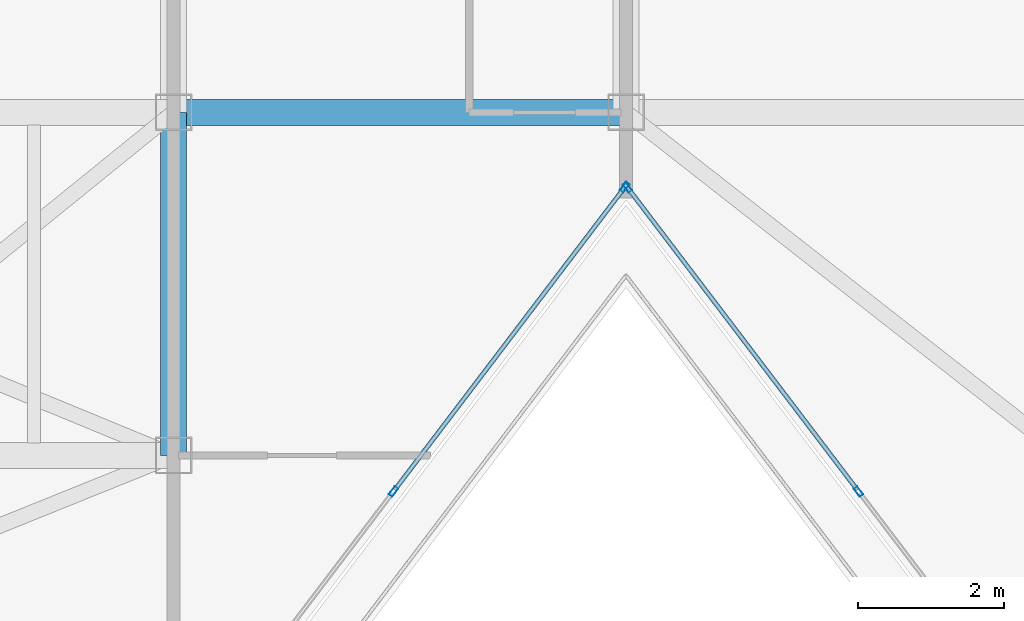
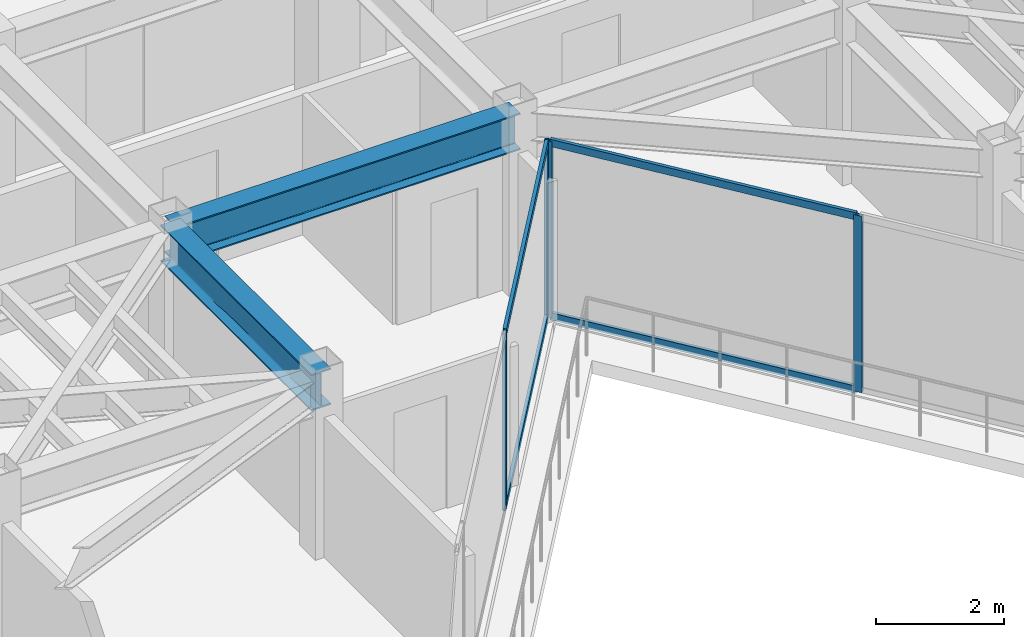
# One storey, part 7 of 20: 8 members, 2 beams, 2 elements without a shape of their own.
"""IFC4 building model written with IfcOpenShell, lengths in metres."""

import ifcopenshell
import ifcopenshell.guid

model = None  # the IFC model being written
_history = None  # IfcOwnerHistory: only IFC2X3 demands one
_inside = {}  # id of a spatial element -> (the spatial element, [elements in it])
_under = {}  # id of a project, library or spatial element -> (it, [spatial elements below it])
_declared = {}  # id of a project -> (the project, [libraries it declares])
_typed = {}  # id of a type object -> (the type object, [elements of that type])
_made_of = {}  # id of a material, layer set ... -> (it, [elements and type objects made of it])


def new_model(schema):
    """Start an empty IFC model of exactly this schema.

    Asked for "IFC4X3", IfcOpenShell would pick the latest addendum, in which some entities
    have other attributes; the version numbers below select the first issue.
    IFC2X3 requires an IfcOwnerHistory on every rooted entity: one is made here for all.
    """
    global model, _history
    if schema == "IFC4X3":
        model = ifcopenshell.file(schema_version=(4, 3, 0, 0))
    else:
        model = ifcopenshell.file(schema=schema)
    _inside.clear()
    _under.clear()
    _declared.clear()
    _typed.clear()
    _made_of.clear()
    _history = None
    if model.schema == "IFC2X3":
        org = make("IfcOrganization", Name="unknown")
        user = make(
            "IfcPersonAndOrganization",
            ThePerson=make("IfcPerson", FamilyName="unknown"),
            TheOrganization=org,
        )
        app = make(
            "IfcApplication",
            ApplicationDeveloper=org,
            Version="unknown",
            ApplicationFullName="unknown",
            ApplicationIdentifier="unknown",
        )
        _history = make(
            "IfcOwnerHistory",
            OwningUser=user,
            OwningApplication=app,
            ChangeAction="ADDED",
            CreationDate=0,
        )
    return model


def make(cls, **values):
    """One entity of the class cls with the attributes given. An attribute that is None is left unset."""
    return model.create_entity(
        cls, **{name: value for name, value in values.items() if value is not None}
    )


def rooted(cls, **values):
    """An entity with a GlobalId (a new one), such as an element, a storey or a relation."""
    return make(cls, GlobalId=ifcopenshell.guid.new(), OwnerHistory=_history, **values)


def si_unit(unit_type, name, prefix=None):
    """IfcSIUnit, for example si_unit("LENGTHUNIT", "METRE", prefix="MILLI")."""
    return make("IfcSIUnit", UnitType=unit_type, Prefix=prefix, Name=name)


def assignment(units):
    """IfcUnitAssignment: the units of a project."""
    return None if units is None else make("IfcUnitAssignment", Units=units)


def point(xyz):
    """IfcCartesianPoint."""
    return None if xyz is None else make("IfcCartesianPoint", Coordinates=xyz)


def direction(xyz):
    """IfcDirection."""
    return None if xyz is None else make("IfcDirection", DirectionRatios=xyz)


def frame(location, z_axis=None, x_axis=None):
    """IfcAxis2Placement3D, a coordinate frame: its origin and axes. An axis left out is left unset."""
    return make(
        "IfcAxis2Placement3D",
        Location=point(location),
        Axis=direction(z_axis),
        RefDirection=direction(x_axis),
    )


def frame_2d(location, x_axis=None):
    """IfcAxis2Placement2D, a coordinate frame in the plane: its origin and x axis."""
    return make(
        "IfcAxis2Placement2D", Location=point(location), RefDirection=direction(x_axis)
    )


def origin():
    """The frame at (0, 0, 0) with its axes left unset."""
    return frame((0.0, 0.0, 0.0))


def origin_2d():
    """The frame at (0, 0) in the plane with its x axis left unset."""
    return frame_2d((0.0, 0.0))


def place(relative_to, where):
    """IfcLocalPlacement: puts the frame where relative to a parent placement (None: the world)."""
    return make(
        "IfcLocalPlacement", PlacementRelTo=relative_to, RelativePlacement=where
    )


def context(
    kind, dimensions, precision=None, world=None, true_north=None, identifier=None
):
    """IfcGeometricRepresentationContext, for example the 3D "Model" context."""
    return make(
        "IfcGeometricRepresentationContext",
        ContextIdentifier=identifier,
        ContextType=kind,
        CoordinateSpaceDimension=dimensions,
        Precision=precision,
        WorldCoordinateSystem=world,
        TrueNorth=true_north,
    )


def subcontext(parent, identifier, kind, view, scale=None):
    """IfcGeometricRepresentationSubContext, for example "Body" below "Model"."""
    return make(
        "IfcGeometricRepresentationSubContext",
        ContextIdentifier=identifier,
        ContextType=kind,
        ParentContext=parent,
        TargetScale=scale,
        TargetView=view,
    )


def project(units=None, contexts=None):
    """IfcProject with its units and contexts."""
    return rooted(
        "IfcProject",
        Name="project",
        RepresentationContexts=contexts,
        UnitsInContext=assignment(units),
    )


def spatial(cls, under=None, at=None, **own):
    """A site, building, storey or space (cls), placed at a placement, below another one or the project."""
    s = rooted(cls, ObjectPlacement=at, **own)
    if under is not None:
        _under.setdefault(under.id(), (under, []))[1].append(s)
    return s


def profile(cls, at=None, kind="AREA", **sizes):
    """A parametric profile (cls). Its sizes go by their IFC names, for example OverallWidth=200.0."""
    return make(cls, ProfileType=kind, Position=at, **sizes)


def hollow_rectangle(**sizes):
    """IfcRectangleHollowProfileDef."""
    return profile("IfcRectangleHollowProfileDef", **sizes)


def i_section(**sizes):
    """IfcIShapeProfileDef."""
    return profile("IfcIShapeProfileDef", **sizes)


def extrude(swept, where, along, depth):
    """IfcExtrudedAreaSolid: the profile swept, set in the frame where, extruded along a direction by depth."""
    return make(
        "IfcExtrudedAreaSolid",
        SweptArea=swept,
        Position=where,
        ExtrudedDirection=direction(along),
        Depth=depth,
    )


def shape(context_of_items, identifier, shape_type, items):
    """IfcShapeRepresentation: the items that make up one representation, for example the "Body"."""
    return make(
        "IfcShapeRepresentation",
        ContextOfItems=context_of_items,
        RepresentationIdentifier=identifier,
        RepresentationType=shape_type,
        Items=items,
    )


def material(Name=None, Category=None):
    """IfcMaterial."""
    return make("IfcMaterial", Name=Name, Category=Category)


def layer(
    of_material, thickness, ventilated=None, Name=None, Category=None, Priority=None
):
    """IfcMaterialLayer: one layer of a wall or slab, of a material (None: an air gap)."""
    return make(
        "IfcMaterialLayer",
        Material=of_material,
        LayerThickness=thickness,
        IsVentilated=ventilated,
        Name=Name,
        Category=Category,
        Priority=Priority,
    )


def layer_set(layers, Name=None):
    """IfcMaterialLayerSet."""
    return make("IfcMaterialLayerSet", MaterialLayers=layers, LayerSetName=Name)


def material_profile(
    of_material, cross_section, Name=None, Category=None, Priority=None
):
    """IfcMaterialProfile: a cross section and its material."""
    return make(
        "IfcMaterialProfile",
        Name=Name,
        Material=of_material,
        Profile=cross_section,
        Priority=Priority,
        Category=Category,
    )


def profile_set(profiles, Name=None, composite=None):
    """IfcMaterialProfileSet."""
    return make(
        "IfcMaterialProfileSet",
        Name=Name,
        MaterialProfiles=profiles,
        CompositeProfile=composite,
    )


def made_of(thing, what):
    """Note that an element or type object is made of a material, layer set ...; save() writes the relation."""
    if what is not None:
        _made_of.setdefault(what.id(), (what, []))[1].append(thing)
    return thing


def type_object(cls, material=None, **own):
    """A type object (cls), such as IfcWallType, which elements share."""
    return made_of(rooted(cls, **own), material)


def element(
    cls,
    number,
    at=None,
    inside=None,
    cuts=None,
    type_object=None,
    material=None,
    context=None,
    identifier="Body",
    shape_type=None,
    held_by="IfcProductDefinitionShape",
    body=None,
    shapes=None,
    **own,
):
    """One element of the class cls, such as IfcWall. Its Tag is "e" and its number.

    at: its placement. inside: the storey or other place that contains it. cuts: it is an
    opening in that element (IfcRelVoidsElement). A single representation is given by context,
    identifier, shape_type and body (its items); several are given by shapes. held_by: the class
    of the entity that holds the representations. save() writes the other relations.
    """
    e = rooted(cls, Tag="e%d" % number, ObjectPlacement=at, **own)
    if body is not None:
        shapes = [shape(context, identifier, shape_type, body)]
    if shapes is not None:
        e.Representation = make(held_by, Representations=shapes)
    if inside is not None:
        _inside.setdefault(inside.id(), (inside, []))[1].append(e)
    if cuts is not None:
        rooted(
            "IfcRelVoidsElement", RelatingBuildingElement=cuts, RelatedOpeningElement=e
        )
    if type_object is not None:
        _typed.setdefault(type_object.id(), (type_object, []))[1].append(e)
    return made_of(e, material)


def aggregate(whole, parts):
    """IfcRelAggregates: a whole, such as a stair, and the parts it consists of."""
    return rooted("IfcRelAggregates", RelatingObject=whole, RelatedObjects=parts)


def save(model, path):
    """Write the relations noted so far, then the file.

    IfcRelAggregates (storeys below a building ...), IfcRelContainedInSpatialStructure (elements
    in a storey), IfcRelDefinesByType, IfcRelAssociatesMaterial and IfcRelDeclares: one each for
    every whole, place, type object, material and project.
    """
    for whole, parts in _under.values():
        aggregate(whole, parts)
    for where, things in _inside.values():
        rooted(
            "IfcRelContainedInSpatialStructure",
            RelatedElements=things,
            RelatingStructure=where,
        )
    for kind, things in _typed.values():
        rooted("IfcRelDefinesByType", RelatedObjects=things, RelatingType=kind)
    for what, things in _made_of.values():
        rooted("IfcRelAssociatesMaterial", RelatedObjects=things, RelatingMaterial=what)
    for by, libraries in _declared.values():
        rooted("IfcRelDeclares", RelatingContext=by, RelatedDefinitions=libraries)
    model.write(path)


model = new_model("IFC4")

# Units and contexts
model_context = context("Model", 3, precision=1e-05, world=origin(), true_north=direction((0.0, 1.0)))
body_context = subcontext(model_context, "Body", "Model", "MODEL_VIEW")
ifc_project = project(units=[si_unit("LENGTHUNIT", "METRE"), si_unit("AREAUNIT", "SQUARE_METRE"), si_unit("VOLUMEUNIT", "CUBIC_METRE"), si_unit("PLANEANGLEUNIT", "RADIAN"), si_unit("MASSUNIT", "GRAM", prefix="KILO")], contexts=[model_context])

# Site, building, storey
site_placement = place(None, origin())
site = spatial("IfcSite", under=ifc_project, at=site_placement, CompositionType="ELEMENT")
building_placement = place(site_placement, origin())
building = spatial("IfcBuilding", under=site, at=building_placement, Name="Kravanh Interchange Tower", CompositionType="ELEMENT")
storey_placement = place(building_placement, frame((0.0, 0.0, 245.39990234375)))
storey = spatial("IfcBuildingStorey", under=building, at=storey_placement, Name="L59", CompositionType="ELEMENT", Elevation=245.39990234375)

# Curtain wall, members
ifc_material_1 = material(Name="Anodised Bronze Aluminium", Category="aluminium")
ifc_layer = layer(ifc_material_1, 0.179931640625)
ifc_layer_set = layer_set([ifc_layer], Name="Unitised Curtain Wall System CW-HTL Luxury Hotel")
curtain_wall_type = type_object("IfcCurtainWallType", Name="Unitised Curtain Wall System CW-HTL Luxury Hotel", PredefinedType="NOTDEFINED", material=ifc_layer_set)
curtain_wall_1_placement = place(storey_placement, origin())
curtain_wall_1 = element("IfcCurtainWall", 1, at=curtain_wall_1_placement, inside=storey, type_object=curtain_wall_type, Name="L59 Unitised Curtain Wall CW-L59-04", PredefinedType="NOTDEFINED")
ifc_material_2 = material(Name="Anodised Bronze Aluminium", Category="aluminium")
ifc_material_profile_1 = material_profile(ifc_material_2, hollow_rectangle(XDim=0.06005859375, YDim=0.139892578125, WallThickness=0.00390625, at=origin_2d()), Name="ALU60X140X4")
ifc_profile_set_1 = profile_set([ifc_material_profile_1], Name="Anodised Bronze Aluminium")
member_type_1 = type_object("IfcMemberType", Name="Curtain Wall Mullion ALU60X140X4 Bronze", PredefinedType="MULLION", material=ifc_profile_set_1)
member_1_placement = place(storey_placement, frame((47.986572265625, 26.305419921875, 0.0), z_axis=(0.0, 0.0, 1.0), x_axis=(-0.79616243806, -0.605082946564, 0.0)))
member_1 = element("IfcMember", 2, at=member_1_placement, type_object=member_type_1, Name="CW-HTL mullion 3", PredefinedType="MULLION", context=body_context, shape_type="SweptSolid", body=[
    extrude(hollow_rectangle(XDim=0.06005859375, YDim=0.139892578125, WallThickness=0.00390625, at=origin_2d()), origin(), (0.0, 0.0, 1.0), 3.360107421875),
])
member_2_placement = place(storey_placement, frame((44.818115234375, 30.474365234375, 0.0), z_axis=(0.0, 0.0, 1.0), x_axis=(-0.79616243806, -0.605082946564, 0.0)))
member_2 = element("IfcMember", 3, at=member_2_placement, type_object=member_type_1, Name="CW-HTL mullion 4", PredefinedType="MULLION", context=body_context, shape_type="SweptSolid", body=[
    extrude(hollow_rectangle(XDim=0.06005859375, YDim=0.139892578125, WallThickness=0.00390625, at=origin_2d()), origin(), (0.0, 0.0, 1.0), 3.360107421875),
])

curtain_wall_2_placement = place(storey_placement, origin())
curtain_wall_2 = element("IfcCurtainWall", 4, at=curtain_wall_2_placement, inside=storey, type_object=curtain_wall_type, Name="L59 Unitised Curtain Wall CW-L59-05", PredefinedType="NOTDEFINED")
member_3_placement = place(storey_placement, frame((44.78173828125, 30.474365234375, 0.0), z_axis=(0.0, 0.0, 1.0), x_axis=(0.79616243806, -0.605082946564, 0.0)))
member_3 = element("IfcMember", 5, at=member_3_placement, type_object=member_type_1, Name="CW-HTL mullion 1", PredefinedType="MULLION", context=body_context, shape_type="SweptSolid", body=[
    extrude(hollow_rectangle(XDim=0.06005859375, YDim=0.139892578125, WallThickness=0.00390625, at=origin_2d()), origin(), (0.0, 0.0, 1.0), 3.360107421875),
])
member_4_placement = place(storey_placement, frame((41.613525390625, 26.305419921875, 0.0), z_axis=(0.0, 0.0, 1.0), x_axis=(0.79616243806, -0.605082946564, 0.0)))
member_4 = element("IfcMember", 6, at=member_4_placement, type_object=member_type_1, Name="CW-HTL mullion 2", PredefinedType="MULLION", context=body_context, shape_type="SweptSolid", body=[
    extrude(hollow_rectangle(XDim=0.06005859375, YDim=0.139892578125, WallThickness=0.00390625, at=origin_2d()), origin(), (0.0, 0.0, 1.0), 3.360107421875),
])

# Member
ifc_material_3 = material(Name="Anodised Bronze Aluminium", Category="aluminium")
ifc_material_profile_2 = material_profile(ifc_material_3, hollow_rectangle(XDim=0.06005859375, YDim=0.139892578125, WallThickness=0.00390625, at=origin_2d()), Name="ALU60X140X4")
ifc_profile_set_2 = profile_set([ifc_material_profile_2], Name="Anodised Bronze Aluminium")
member_type_2 = type_object("IfcMemberType", Name="Curtain Wall Transom ALU60X140X4 Bronze", PredefinedType="USERDEFINED", material=ifc_profile_set_2)
member_5_placement = place(storey_placement, frame((47.96826171875, 26.329345703125, 0.030029296875), z_axis=(-0.605059348861, 0.796180371747, 0.0), x_axis=(-0.796180371747, -0.605059348861, 0.0)))
member_5 = element("IfcMember", 7, at=member_5_placement, type_object=member_type_2, Name="CW-HTL transom 3.1", ObjectType="TRANSOM", PredefinedType="USERDEFINED", context=body_context, shape_type="SweptSolid", body=[
    extrude(hollow_rectangle(XDim=0.06005859375, YDim=0.139892578125, WallThickness=0.00390625, at=origin_2d()), origin(), (0.0, 0.0, 1.0), 5.176025390625),
])

member_6_placement = place(storey_placement, frame((47.96826171875, 26.329345703125, 3.330078125), z_axis=(-0.605059348861, 0.796180371747, 0.0), x_axis=(-0.796180371747, -0.605059348861, 0.0)))
member_6 = element("IfcMember", 8, at=member_6_placement, type_object=member_type_2, Name="CW-HTL transom 3.2", ObjectType="TRANSOM", PredefinedType="USERDEFINED", context=body_context, shape_type="SweptSolid", body=[
    extrude(hollow_rectangle(XDim=0.06005859375, YDim=0.139892578125, WallThickness=0.00390625, at=origin_2d()), origin(), (0.0, 0.0, 1.0), 5.176025390625),
])

aggregate(curtain_wall_1, [member_1, member_2, member_5, member_6])

member_7_placement = place(storey_placement, frame((44.763671875, 30.450439453125, 0.030029296875), z_axis=(-0.605089246946, -0.796157649734, 0.0), x_axis=(0.796157649734, -0.605089246946, 0.0)))
member_7 = element("IfcMember", 9, at=member_7_placement, type_object=member_type_2, Name="CW-HTL transom 1.1", ObjectType="TRANSOM", PredefinedType="USERDEFINED", context=body_context, shape_type="SweptSolid", body=[
    extrude(hollow_rectangle(XDim=0.06005859375, YDim=0.139892578125, WallThickness=0.00390625, at=origin_2d()), origin(), (0.0, 0.0, 1.0), 5.17626953125),
])

member_8_placement = place(storey_placement, frame((44.763671875, 30.450439453125, 3.330078125), z_axis=(-0.605089246946, -0.796157649734, 0.0), x_axis=(0.796157649734, -0.605089246946, 0.0)))
member_8 = element("IfcMember", 10, at=member_8_placement, type_object=member_type_2, Name="CW-HTL transom 1.2", ObjectType="TRANSOM", PredefinedType="USERDEFINED", context=body_context, shape_type="SweptSolid", body=[
    extrude(hollow_rectangle(XDim=0.06005859375, YDim=0.139892578125, WallThickness=0.00390625, at=origin_2d()), origin(), (0.0, 0.0, 1.0), 5.17626953125),
])

aggregate(curtain_wall_2, [member_3, member_4, member_7, member_8])

# Beams
ifc_material_4 = material(Name="Structural Steel S355", Category="steel")
ifc_material_profile_3 = material_profile(ifc_material_4, i_section(OverallWidth=0.35498046875, OverallDepth=0.696044921875, WebThickness=0.015380859375, FlangeThickness=0.02490234375, FilletRadius=0.02392578125, at=origin_2d()), Name="W27X146")
ifc_profile_set_3 = profile_set([ifc_material_profile_3], Name="Structural Steel S355")
beam_type = type_object("IfcBeamType", Name="Floor Beam W27X146 Structural Steel S355", PredefinedType="BEAM", material=ifc_profile_set_3)
beam_1_placement = place(storey_placement, frame((44.800048828125, 31.5, 3.01220703125), z_axis=(-1.0, 0.0, 0.0), x_axis=(0.0, -1.0, 0.0)))
element("IfcBeam", 11, at=beam_1_placement, inside=storey, type_object=beam_type, Name="L59 Primary Floor Girder 3", PredefinedType="BEAM", context=body_context, shape_type="SweptSolid", body=[
    extrude(i_section(OverallWidth=0.35498046875, OverallDepth=0.696044921875, WebThickness=0.015380859375, FlangeThickness=0.02490234375, FilletRadius=0.02392578125, at=origin_2d()), origin(), (0.0, 0.0, 1.0), 6.199951171875),
])
beam_2_placement = place(storey_placement, frame((38.60009765625, 31.5, 3.01220703125), z_axis=(0.0, -1.0, 0.0), x_axis=(1.0, 0.0, 0.0)))
element("IfcBeam", 12, at=beam_2_placement, inside=storey, type_object=beam_type, Name="L59 Primary Floor Girder 17", PredefinedType="BEAM", context=body_context, shape_type="SweptSolid", body=[
    extrude(i_section(OverallWidth=0.35498046875, OverallDepth=0.696044921875, WebThickness=0.015380859375, FlangeThickness=0.02490234375, FilletRadius=0.02392578125, at=origin_2d()), origin(), (0.0, 0.0, 1.0), 4.699951171875),
])

save(model, "model.ifc")
